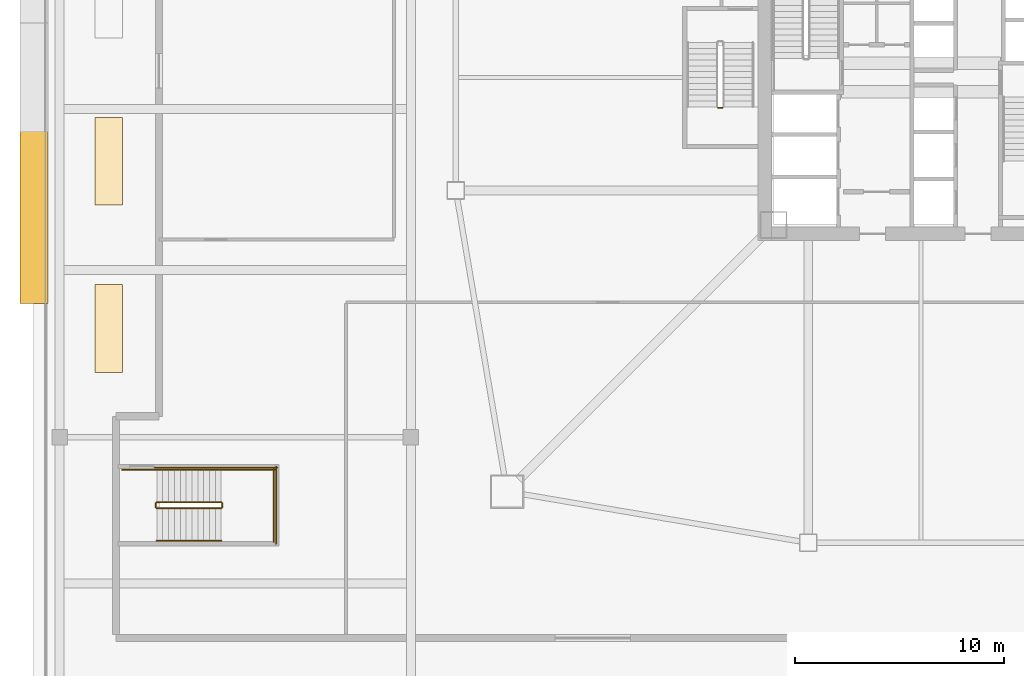
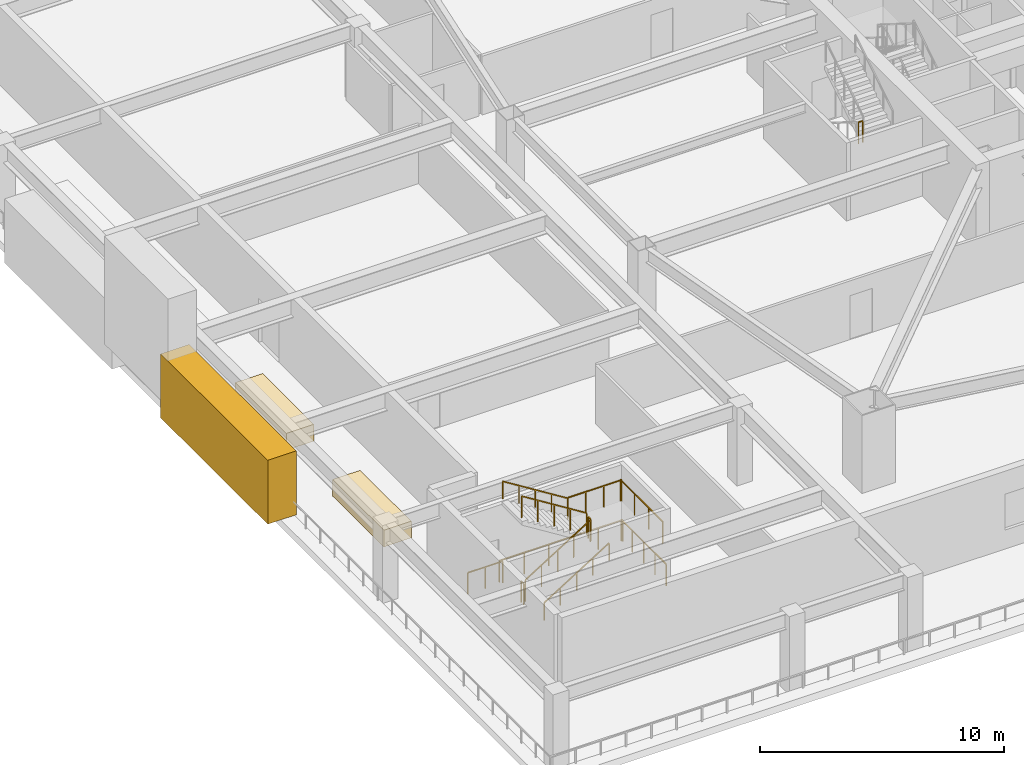
# One storey, part 12 of 20: 12 railings, 3 coverings.
"""IFC4 building model written with IfcOpenShell, lengths in metres."""

from ifc_helpers import new_model, si_unit, direction, frame, origin, origin_2d, place, context, subcontext, project, spatial, rectangle, extrude, material, layer, layer_set, type_object, element, save


model = new_model("IFC4")

# Units and contexts
model_context = context("Model", 3, precision=1e-05, world=origin(), true_north=direction((0.0, 1.0)))
body_context = subcontext(model_context, "Body", "Model", "MODEL_VIEW")
ifc_project = project(units=[si_unit("LENGTHUNIT", "METRE"), si_unit("AREAUNIT", "SQUARE_METRE"), si_unit("VOLUMEUNIT", "CUBIC_METRE"), si_unit("PLANEANGLEUNIT", "RADIAN"), si_unit("MASSUNIT", "GRAM", prefix="KILO")], contexts=[model_context])

# Site, building, storey
site_placement = place(None, origin())
site = spatial("IfcSite", under=ifc_project, at=site_placement, CompositionType="ELEMENT")
building_placement = place(site_placement, origin())
building = spatial("IfcBuilding", under=site, at=building_placement, Name="Tashvorn Skyway Center", CompositionType="ELEMENT")
storey_placement = place(building_placement, frame((0.0, 0.0, 15.60009765625)))
storey = spatial("IfcBuildingStorey", under=building, at=storey_placement, Name="L03", CompositionType="ELEMENT", Elevation=15.60009765625)

# Coverings
ifc_material_1 = material(Name="Precast concrete C40/50", Category="concrete")
ifc_layer = layer(ifc_material_1, 0.35009765625)
ifc_layer_set = layer_set([ifc_layer], Name="Precast concrete C40/50")
covering_type = type_object("IfcCoveringType", Name="COV-STONE-TRIM", PredefinedType="CLADDING", material=ifc_layer_set)
for number, where, z_axis, x_axis, name in (
    (1, (3.14990234375, 20.0, 0.0), (0.0, 0.0, 1.0), (1.0, 0.0, 0.0), "L03 Colonnade Terrace Stone Planter 1"),
    (2, (3.14990234375, 28.0, 0.0), (0.0, 0.0, 1.0), (1.0, 0.0, 0.0), "L03 Colonnade Terrace Stone Planter 2"),
):
    element("IfcCovering", number, at=place(storey_placement, frame(where, z_axis=z_axis, x_axis=x_axis)), inside=storey, type_object=covering_type, Name=name, PredefinedType="CLADDING", context=body_context, shape_type="SweptSolid", body=[
        extrude(rectangle(XDim=1.300048828125, YDim=4.199951171875, at=origin_2d()), origin(), (0.0, 0.0, 1.0), 0.840087890625),
    ])
covering_placement = place(storey_placement, frame((-0.419921875, 25.60009765625, 0.39990234375), z_axis=(0.0, 0.0, 1.0), x_axis=(1.0, 0.0, 0.0)))
element("IfcCovering", 3, at=covering_placement, inside=storey, type_object=covering_type, Name="Postmodern Station Split-Pediment WEST L", PredefinedType="CLADDING", context=body_context, shape_type="SweptSolid", body=[
    extrude(rectangle(XDim=1.35009765625, YDim=8.800048828125, at=origin_2d()), origin(), (0.0, 0.0, 1.0), 3.199951171875),
])

# Railings
ifc_material_2 = material(Name="Brushed stainless steel 316", Category="steel")
railing_type_1 = type_object("IfcRailingType", Name="RAIL-HAND-920", PredefinedType="HANDRAIL", material=ifc_material_2)
railing_1_placement = place(storey_placement, frame((5.449951171875, 9.85009765625, 0.1748046875)))
element("IfcRailing", 4, at=railing_1_placement, inside=storey, type_object=railing_type_1, Name="L03 ST-POD-1 stair handrail 1", PredefinedType="HANDRAIL", context=body_context, shape_type="SweptSolid", body=[
    extrude(rectangle(XDim=0.048095703125, YDim=0.048095703125, at=origin_2d()), frame((0.0, 0.0, 0.8759765625), z_axis=(0.847998304005, 0.0, 0.529998940003), x_axis=(0.0, 1.0, 0.0)), (0.0, 0.0, 1.0), 3.632080078125),
    extrude(rectangle(XDim=0.0419921875, YDim=0.0419921875, at=origin_2d()), origin(), (0.0, 0.0, 1.0), 0.851806640625),
    extrude(rectangle(XDim=0.0419921875, YDim=0.0419921875, at=origin_2d()), frame((0.77001953125, 0.0, 0.481201171875)), (0.0, 0.0, 1.0), 0.851806640625),
    extrude(rectangle(XDim=0.0419921875, YDim=0.0419921875, at=origin_2d()), frame((1.5400390625, 0.0, 0.96240234375)), (0.0, 0.0, 1.0), 0.851806640625),
    extrude(rectangle(XDim=0.0419921875, YDim=0.0419921875, at=origin_2d()), frame((2.31005859375, 0.0, 1.44384765625)), (0.0, 0.0, 1.0), 0.851806640625),
    extrude(rectangle(XDim=0.0419921875, YDim=0.0419921875, at=origin_2d()), frame((3.080078125, 0.0, 1.925048828125)), (0.0, 0.0, 1.0), 0.851806640625),
])
railing_2_placement = place(storey_placement, frame((8.530029296875, 13.25, 2.27490234375)))
element("IfcRailing", 5, at=railing_2_placement, inside=storey, type_object=railing_type_1, Name="L03 ST-POD-1 stair handrail 2", PredefinedType="HANDRAIL", context=body_context, shape_type="SweptSolid", body=[
    extrude(rectangle(XDim=0.048095703125, YDim=0.048095703125, at=origin_2d()), frame((0.0, 0.0, 0.8759765625), z_axis=(-0.847998304005, 0.0, 0.529998940003), x_axis=(0.0, -1.0, 0.0)), (0.0, 0.0, 1.0), 3.632080078125),
    extrude(rectangle(XDim=0.0419921875, YDim=0.0419921875, at=origin_2d()), origin(), (0.0, 0.0, 1.0), 0.851806640625),
    extrude(rectangle(XDim=0.0419921875, YDim=0.0419921875, at=origin_2d()), frame((-0.77001953125, 0.0, 0.481201171875)), (0.0, 0.0, 1.0), 0.851806640625),
    extrude(rectangle(XDim=0.0419921875, YDim=0.0419921875, at=origin_2d()), frame((-1.5400390625, 0.0, 0.96240234375)), (0.0, 0.0, 1.0), 0.851806640625),
    extrude(rectangle(XDim=0.0419921875, YDim=0.0419921875, at=origin_2d()), frame((-2.31005859375, 0.0, 1.44384765625)), (0.0, 0.0, 1.0), 0.851806640625),
    extrude(rectangle(XDim=0.0419921875, YDim=0.0419921875, at=origin_2d()), frame((-3.080078125, 0.0, 1.925048828125)), (0.0, 0.0, 1.0), 0.851806640625),
])
ifc_material_3 = material(Name="Painted galvanized steel S355", Category="steel")
railing_type_2 = type_object("IfcRailingType", Name="RAIL-STGUARD-1100", PredefinedType="GUARDRAIL", material=ifc_material_3)
railing_3_placement = place(storey_placement, frame((32.300048828125, 30.550048828125, 2.099853515625)))
element("IfcRailing", 6, at=railing_3_placement, inside=storey, type_object=railing_type_2, Name="L03 ST-T1-3 stair guard 2", PredefinedType="GUARDRAIL", context=body_context, shape_type="SweptSolid", body=[
    extrude(rectangle(XDim=0.048095703125, YDim=0.048095703125, at=origin_2d()), frame((0.0, 0.0, 1.076171875), z_axis=(1.0, 0.0, 0.0), x_axis=(0.0, 1.0, 0.0)), (0.0, 0.0, 1.0), 0.199951171875),
    extrude(rectangle(XDim=0.0419921875, YDim=0.0419921875, at=origin_2d()), origin(), (0.0, 0.0, 1.0), 1.052001953125),
    extrude(rectangle(XDim=0.0419921875, YDim=0.0419921875, at=origin_2d()), frame((0.199951171875, 0.0, 0.0)), (0.0, 0.0, 1.0), 1.052001953125),
])
railing_4_placement = place(storey_placement, frame((5.449951171875, 11.39990234375, 0.1748046875)))
element("IfcRailing", 7, at=railing_4_placement, inside=storey, type_object=railing_type_2, Name="L03 ST-POD-1 stair guard 1", PredefinedType="GUARDRAIL", context=body_context, shape_type="SweptSolid", body=[
    extrude(rectangle(XDim=0.048095703125, YDim=0.048095703125, at=origin_2d()), frame((0.0, 0.0, 1.076171875), z_axis=(0.847998304005, 0.0, 0.529998940003), x_axis=(0.0, 1.0, 0.0)), (0.0, 0.0, 1.0), 3.632080078125),
    extrude(rectangle(XDim=0.0419921875, YDim=0.0419921875, at=origin_2d()), origin(), (0.0, 0.0, 1.0), 1.052001953125),
    extrude(rectangle(XDim=0.0419921875, YDim=0.0419921875, at=origin_2d()), frame((0.77001953125, 0.0, 0.481201171875)), (0.0, 0.0, 1.0), 1.052001953125),
    extrude(rectangle(XDim=0.0419921875, YDim=0.0419921875, at=origin_2d()), frame((1.5400390625, 0.0, 0.96240234375)), (0.0, 0.0, 1.0), 1.052001953125),
    extrude(rectangle(XDim=0.0419921875, YDim=0.0419921875, at=origin_2d()), frame((2.31005859375, 0.0, 1.44384765625)), (0.0, 0.0, 1.0), 1.052001953125),
    extrude(rectangle(XDim=0.0419921875, YDim=0.0419921875, at=origin_2d()), frame((3.080078125, 0.0, 1.925048828125)), (0.0, 0.0, 1.0), 1.052001953125),
])
railing_5_placement = place(storey_placement, frame((8.580078125, 11.449951171875, 2.099853515625)))
element("IfcRailing", 8, at=railing_5_placement, inside=storey, type_object=railing_type_2, Name="L03 ST-POD-1 stair guard 2", PredefinedType="GUARDRAIL", context=body_context, shape_type="SweptSolid", body=[
    extrude(rectangle(XDim=0.048095703125, YDim=0.048095703125, at=origin_2d()), frame((0.0, 0.0, 1.076171875), z_axis=(0.0, 1.0, 0.0), x_axis=(-1.0, 0.0, 0.0)), (0.0, 0.0, 1.0), 0.199951171875),
    extrude(rectangle(XDim=0.0419921875, YDim=0.0419921875, at=origin_2d()), origin(), (0.0, 0.0, 1.0), 1.052001953125),
    extrude(rectangle(XDim=0.0419921875, YDim=0.0419921875, at=origin_2d()), frame((0.0, 0.199951171875, 0.0)), (0.0, 0.0, 1.0), 1.052001953125),
])
railing_6_placement = place(storey_placement, frame((8.530029296875, 13.25, 2.099853515625)))
element("IfcRailing", 9, at=railing_6_placement, inside=storey, type_object=railing_type_2, Name="L03 ST-POD-1 stair guard 3", PredefinedType="GUARDRAIL", context=body_context, shape_type="SweptSolid", body=[
    extrude(rectangle(XDim=0.048095703125, YDim=0.048095703125, at=origin_2d()), frame((0.0, 0.0, 1.076171875), z_axis=(1.0, 0.0, 0.0), x_axis=(0.0, 1.0, 0.0)), (0.0, 0.0, 1.0), 2.570068359375),
    extrude(rectangle(XDim=0.0419921875, YDim=0.0419921875, at=origin_2d()), origin(), (0.0, 0.0, 1.0), 1.052001953125),
    extrude(rectangle(XDim=0.0419921875, YDim=0.0419921875, at=origin_2d()), frame((0.856689453125, 0.0, 0.0)), (0.0, 0.0, 1.0), 1.052001953125),
    extrude(rectangle(XDim=0.0419921875, YDim=0.0419921875, at=origin_2d()), frame((1.71337890625, 0.0, 0.0)), (0.0, 0.0, 1.0), 1.052001953125),
    extrude(rectangle(XDim=0.0419921875, YDim=0.0419921875, at=origin_2d()), frame((2.570068359375, 0.0, 0.0)), (0.0, 0.0, 1.0), 1.052001953125),
])
railing_7_placement = place(storey_placement, frame((11.050048828125, 9.800048828125, 2.099853515625)))
element("IfcRailing", 10, at=railing_7_placement, inside=storey, type_object=railing_type_2, Name="L03 ST-POD-1 stair guard 4", PredefinedType="GUARDRAIL", context=body_context, shape_type="SweptSolid", body=[
    extrude(rectangle(XDim=0.048095703125, YDim=0.048095703125, at=origin_2d()), frame((0.0, 0.0, 1.076171875), z_axis=(0.0, 1.0, 0.0), x_axis=(-1.0, 0.0, 0.0)), (0.0, 0.0, 1.0), 3.5),
    extrude(rectangle(XDim=0.0419921875, YDim=0.0419921875, at=origin_2d()), origin(), (0.0, 0.0, 1.0), 1.052001953125),
    extrude(rectangle(XDim=0.0419921875, YDim=0.0419921875, at=origin_2d()), frame((0.0, 1.166748046875, 0.0)), (0.0, 0.0, 1.0), 1.052001953125),
    extrude(rectangle(XDim=0.0419921875, YDim=0.0419921875, at=origin_2d()), frame((0.0, 2.333251953125, 0.0)), (0.0, 0.0, 1.0), 1.052001953125),
    extrude(rectangle(XDim=0.0419921875, YDim=0.0419921875, at=origin_2d()), frame((0.0, 3.5, 0.0)), (0.0, 0.0, 1.0), 1.052001953125),
])
railing_8_placement = place(storey_placement, frame((8.530029296875, 11.699951171875, 2.27490234375)))
element("IfcRailing", 11, at=railing_8_placement, inside=storey, type_object=railing_type_2, Name="L03 ST-POD-1 stair guard 5", PredefinedType="GUARDRAIL", context=body_context, shape_type="SweptSolid", body=[
    extrude(rectangle(XDim=0.048095703125, YDim=0.048095703125, at=origin_2d()), frame((0.0, 0.0, 1.076171875), z_axis=(-0.847998304005, 0.0, 0.529998940003), x_axis=(0.0, -1.0, 0.0)), (0.0, 0.0, 1.0), 3.632080078125),
    extrude(rectangle(XDim=0.0419921875, YDim=0.0419921875, at=origin_2d()), origin(), (0.0, 0.0, 1.0), 1.052001953125),
    extrude(rectangle(XDim=0.0419921875, YDim=0.0419921875, at=origin_2d()), frame((-0.77001953125, 0.0, 0.481201171875)), (0.0, 0.0, 1.0), 1.052001953125),
    extrude(rectangle(XDim=0.0419921875, YDim=0.0419921875, at=origin_2d()), frame((-1.5400390625, 0.0, 0.96240234375)), (0.0, 0.0, 1.0), 1.052001953125),
    extrude(rectangle(XDim=0.0419921875, YDim=0.0419921875, at=origin_2d()), frame((-2.31005859375, 0.0, 1.44384765625)), (0.0, 0.0, 1.0), 1.052001953125),
    extrude(rectangle(XDim=0.0419921875, YDim=0.0419921875, at=origin_2d()), frame((-3.080078125, 0.0, 1.925048828125)), (0.0, 0.0, 1.0), 1.052001953125),
])
railing_9_placement = place(storey_placement, frame((5.39990234375, 11.449951171875, 0.0)))
element("IfcRailing", 12, at=railing_9_placement, inside=storey, type_object=railing_type_2, Name="L03 ST-POD-1 stair guard 6", PredefinedType="GUARDRAIL", context=body_context, shape_type="SweptSolid", body=[
    extrude(rectangle(XDim=0.048095703125, YDim=0.048095703125, at=origin_2d()), frame((0.0, 0.0, 1.076171875), z_axis=(0.0, 1.0, 0.0), x_axis=(-1.0, 0.0, 0.0)), (0.0, 0.0, 1.0), 0.199951171875),
    extrude(rectangle(XDim=0.0419921875, YDim=0.0419921875, at=origin_2d()), origin(), (0.0, 0.0, 1.0), 1.052001953125),
    extrude(rectangle(XDim=0.0419921875, YDim=0.0419921875, at=origin_2d()), frame((0.0, 0.199951171875, 0.0)), (0.0, 0.0, 1.0), 1.052001953125),
])
railing_10_placement = place(storey_placement, frame((3.800048828125, 13.25, 0.0)))
element("IfcRailing", 13, at=railing_10_placement, inside=storey, type_object=railing_type_2, Name="L03 ST-POD-1 stair guard 7", PredefinedType="GUARDRAIL", context=body_context, shape_type="SweptSolid", body=[
    extrude(rectangle(XDim=0.048095703125, YDim=0.048095703125, at=origin_2d()), frame((0.0, 0.0, 1.076171875), z_axis=(1.0, 0.0, 0.0), x_axis=(0.0, 1.0, 0.0)), (0.0, 0.0, 1.0), 1.64990234375),
    extrude(rectangle(XDim=0.0419921875, YDim=0.0419921875, at=origin_2d()), origin(), (0.0, 0.0, 1.0), 1.052001953125),
    extrude(rectangle(XDim=0.0419921875, YDim=0.0419921875, at=origin_2d()), frame((0.824951171875, 0.0, 0.0)), (0.0, 0.0, 1.0), 1.052001953125),
    extrude(rectangle(XDim=0.0419921875, YDim=0.0419921875, at=origin_2d()), frame((1.64990234375, 0.0, 0.0)), (0.0, 0.0, 1.0), 1.052001953125),
])
railing_11_placement = place(storey_placement, frame((5.35009765625, 13.35009765625, 0.0)))
element("IfcRailing", 14, at=railing_11_placement, inside=storey, type_object=railing_type_2, Name="L03 ST-POD-1 stair guard 8", PredefinedType="GUARDRAIL", context=body_context, shape_type="SweptSolid", body=[
    extrude(rectangle(XDim=0.048095703125, YDim=0.048095703125, at=origin_2d()), frame((0.0, 0.0, 1.076171875), z_axis=(1.0, 0.0, 0.0), x_axis=(0.0, 1.0, 0.0)), (0.0, 0.0, 1.0), 5.849853515625),
    extrude(rectangle(XDim=0.0419921875, YDim=0.0419921875, at=origin_2d()), origin(), (0.0, 0.0, 1.0), 1.052001953125),
    extrude(rectangle(XDim=0.0419921875, YDim=0.0419921875, at=origin_2d()), frame((1.169921875, 0.0, 0.0)), (0.0, 0.0, 1.0), 1.052001953125),
    extrude(rectangle(XDim=0.0419921875, YDim=0.0419921875, at=origin_2d()), frame((2.33984375, 0.0, 0.0)), (0.0, 0.0, 1.0), 1.052001953125),
    extrude(rectangle(XDim=0.0419921875, YDim=0.0419921875, at=origin_2d()), frame((3.510009765625, 0.0, 0.0)), (0.0, 0.0, 1.0), 1.052001953125),
    extrude(rectangle(XDim=0.0419921875, YDim=0.0419921875, at=origin_2d()), frame((4.679931640625, 0.0, 0.0)), (0.0, 0.0, 1.0), 1.052001953125),
    extrude(rectangle(XDim=0.0419921875, YDim=0.0419921875, at=origin_2d()), frame((5.849853515625, 0.0, 0.0)), (0.0, 0.0, 1.0), 1.052001953125),
])
railing_12_placement = place(storey_placement, frame((11.14990234375, 9.699951171875, 0.0)))
element("IfcRailing", 15, at=railing_12_placement, inside=storey, type_object=railing_type_2, Name="L03 ST-POD-1 stair guard 9", PredefinedType="GUARDRAIL", context=body_context, shape_type="SweptSolid", body=[
    extrude(rectangle(XDim=0.048095703125, YDim=0.048095703125, at=origin_2d()), frame((0.0, 0.0, 1.076171875), z_axis=(0.0, 1.0, 0.0), x_axis=(-1.0, 0.0, 0.0)), (0.0, 0.0, 1.0), 3.699951171875),
    extrude(rectangle(XDim=0.0419921875, YDim=0.0419921875, at=origin_2d()), origin(), (0.0, 0.0, 1.0), 1.052001953125),
    extrude(rectangle(XDim=0.0419921875, YDim=0.0419921875, at=origin_2d()), frame((0.0, 0.925048828125, 0.0)), (0.0, 0.0, 1.0), 1.052001953125),
    extrude(rectangle(XDim=0.0419921875, YDim=0.0419921875, at=origin_2d()), frame((0.0, 1.85009765625, 0.0)), (0.0, 0.0, 1.0), 1.052001953125),
    extrude(rectangle(XDim=0.0419921875, YDim=0.0419921875, at=origin_2d()), frame((0.0, 2.77490234375, 0.0)), (0.0, 0.0, 1.0), 1.052001953125),
    extrude(rectangle(XDim=0.0419921875, YDim=0.0419921875, at=origin_2d()), frame((0.0, 3.699951171875, 0.0)), (0.0, 0.0, 1.0), 1.052001953125),
])

save(model, "model.ifc")
